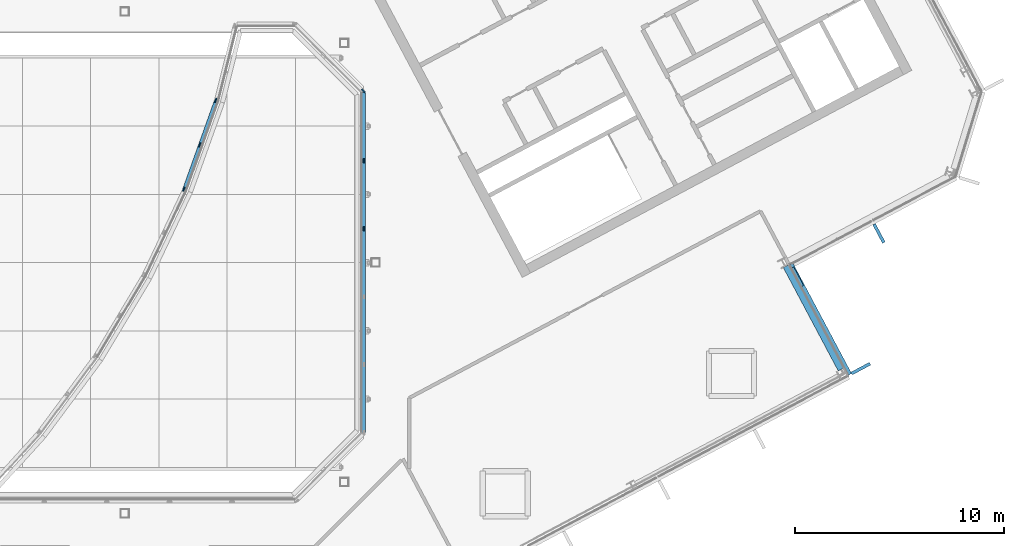
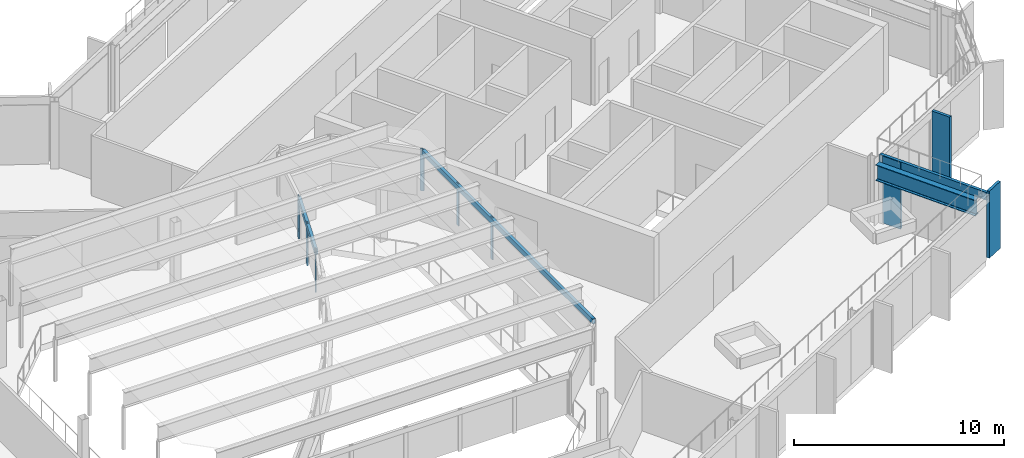
# One storey, part 16 of 35: 12 members, 1 beam, 6 elements without a shape of their own.
"""IFC4 building model written with IfcOpenShell, lengths in metres."""

from ifc_helpers import new_model, si_unit, direction, frame, origin, origin_2d, place, context, subcontext, project, spatial, rectangle, i_section, extrude, material, layer, layer_set, material_profile, profile_set, type_object, element, aggregate, save


model = new_model("IFC4")

# Units and contexts
model_context = context("Model", 3, precision=1e-05, world=origin(), true_north=direction((0.0, 1.0)))
body_context = subcontext(model_context, "Body", "Model", "MODEL_VIEW")
ifc_project = project(units=[si_unit("LENGTHUNIT", "METRE"), si_unit("AREAUNIT", "SQUARE_METRE"), si_unit("VOLUMEUNIT", "CUBIC_METRE"), si_unit("PLANEANGLEUNIT", "RADIAN"), si_unit("MASSUNIT", "GRAM", prefix="KILO")], contexts=[model_context])

# Site, building, storey
site_placement = place(None, origin())
site = spatial("IfcSite", under=ifc_project, at=site_placement, CompositionType="ELEMENT")
building_placement = place(site_placement, origin())
building = spatial("IfcBuilding", under=site, at=building_placement, Name="Cormorant Relay Tower", CompositionType="ELEMENT")
storey_placement = place(building_placement, frame((0.0, 0.0, 324.300048828125)))
storey = spatial("IfcBuildingStorey", under=building, at=storey_placement, Name="L74", CompositionType="ELEMENT", Elevation=324.300048828125)

# Curtain wall, member
ifc_material_1 = material(Name="Aluminium 6063-T6 anodised bronze", Category="aluminium")
ifc_layer_1 = layer(ifc_material_1, 0.199951171875)
ifc_layer_set_1 = layer_set([ifc_layer_1], Name="CW1 unitised bronze curtain wall with vertical fins")
curtain_wall_type_1 = type_object("IfcCurtainWallType", Name="CW1 unitised bronze curtain wall with vertical fins", PredefinedType="NOTDEFINED", material=ifc_layer_set_1)
curtain_wall_1_placement = place(storey_placement, origin())
curtain_wall_1 = element("IfcCurtainWall", 1, at=curtain_wall_1_placement, inside=storey, type_object=curtain_wall_type_1, Name="CW1 curtain wall 3", PredefinedType="NOTDEFINED")
ifc_material_2 = material(Name="Aluminium 6063-T6 anodised bronze", Category="aluminium")
ifc_material_profile_1 = material_profile(ifc_material_2, rectangle(XDim=0.14990234375, YDim=1.0, at=origin_2d()), Name="AL 150x1000")
ifc_profile_set_1 = profile_set([ifc_material_profile_1], Name="Aluminium 6063-T6 anodised bronze")
member_type_1 = type_object("IfcMemberType", Name="CW1 bronze fin mullion 150 x 1000", PredefinedType="MULLION", material=ifc_profile_set_1)
member_1_placement = place(storey_placement, frame((35.199462890625, -5.068115234375, 0.0), z_axis=(0.0, 0.0, 1.0), x_axis=(-0.469471562786, 0.882947592859, 0.0)))
member_1 = element("IfcMember", 2, at=member_1_placement, type_object=member_type_1, Name="CW1 fin 3.1", PredefinedType="MULLION", context=body_context, shape_type="SweptSolid", body=[
    extrude(rectangle(XDim=0.14990234375, YDim=1.0, at=origin_2d()), origin(), (0.0, 0.0, 1.0), 3.89990234375),
])

# Curtain wall, members
curtain_wall_2_placement = place(storey_placement, origin())
curtain_wall_2 = element("IfcCurtainWall", 3, at=curtain_wall_2_placement, inside=storey, type_object=curtain_wall_type_1, Name="CW1 curtain wall 4", PredefinedType="NOTDEFINED")
member_2_placement = place(storey_placement, frame((32.159423828125, -0.681884765625, 0.0), z_axis=(0.0, 0.0, 1.0), x_axis=(0.882947592859, 0.469471562786, 0.0)))
member_2 = element("IfcMember", 4, at=member_2_placement, type_object=member_type_1, Name="CW1 fin 4.1", PredefinedType="MULLION", context=body_context, shape_type="SweptSolid", body=[
    extrude(rectangle(XDim=0.14990234375, YDim=1.0, at=origin_2d()), origin(), (0.0, 0.0, 1.0), 3.89990234375),
])
member_3_placement = place(storey_placement, frame((36.06640625, 1.3955078125, 0.0), z_axis=(0.0, 0.0, 1.0), x_axis=(0.882947592859, 0.469471562786, 0.0)))
member_3 = element("IfcMember", 5, at=member_3_placement, type_object=member_type_1, Name="CW1 fin 4.2", PredefinedType="MULLION", context=body_context, shape_type="SweptSolid", body=[
    extrude(rectangle(XDim=0.14990234375, YDim=1.0, at=origin_2d()), origin(), (0.0, 0.0, 1.0), 3.89990234375),
])
aggregate(curtain_wall_2, [member_2, member_3])

# Member
ifc_material_3 = material(Name="Aluminium 6063-T6 anodised bronze", Category="aluminium")
ifc_material_profile_2 = material_profile(ifc_material_3, rectangle(XDim=0.159912109375, YDim=0.449951171875, at=origin_2d()), Name="AL 160x450")
ifc_profile_set_2 = profile_set([ifc_material_profile_2], Name="Aluminium 6063-T6 anodised bronze")
member_type_2 = type_object("IfcMemberType", Name="CW1 bronze transom 160 x 450", PredefinedType="USERDEFINED", material=ifc_profile_set_2)
member_4_placement = place(storey_placement, frame((34.6875, -5.34033203125, 3.675048828125), z_axis=(-0.469485426614, 0.882940221191, 0.0), x_axis=(-0.882940221191, -0.469485426614, 0.0)))
member_4 = element("IfcMember", 6, at=member_4_placement, type_object=member_type_2, Name="CW1 transom 3", ObjectType="TRANSOM", PredefinedType="USERDEFINED", context=body_context, shape_type="SweptSolid", body=[
    extrude(rectangle(XDim=0.159912109375, YDim=0.449951171875, at=origin_2d()), origin(), (0.0, 0.0, 1.0), 6.0),
])

aggregate(curtain_wall_1, [member_1, member_4])

# Curtain wall, members
ifc_material_4 = material(Name="Aluminium 6063-T6 anodised bronze", Category="aluminium")
ifc_layer_2 = layer(ifc_material_4, 0.199951171875)
ifc_layer_set_2 = layer_set([ifc_layer_2], Name="CW5 atrium lantern curtain wall")
curtain_wall_type_2 = type_object("IfcCurtainWallType", Name="CW5 atrium lantern curtain wall", PredefinedType="NOTDEFINED", material=ifc_layer_set_2)
curtain_wall_3_placement = place(storey_placement, origin())
curtain_wall_3 = element("IfcCurtainWall", 7, at=curtain_wall_3_placement, inside=storey, type_object=curtain_wall_type_2, Name="CW5 atrium lantern wall 2", PredefinedType="NOTDEFINED")
ifc_material_5 = material(Name="Aluminium 6063-T6 anodised bronze", Category="aluminium")
ifc_material_profile_3 = material_profile(ifc_material_5, rectangle(XDim=0.199951171875, YDim=0.06005859375, at=origin_2d()), Name="AL 60x200")
ifc_profile_set_3 = profile_set([ifc_material_profile_3], Name="Aluminium 6063-T6 anodised bronze")
member_type_3 = type_object("IfcMemberType", Name="CW5 bronze mullion 60 x 200", PredefinedType="MULLION", material=ifc_profile_set_3)
member_5_placement = place(storey_placement, frame((4.346435546875, 7.76220703125, 3.89990234375), z_axis=(0.0, 0.0, 1.0), x_axis=(-0.336889853392, -0.941544065183, 0.0)))
member_5 = element("IfcMember", 8, at=member_5_placement, type_object=member_type_3, Name="CW5 mullion 2.1", PredefinedType="MULLION", context=body_context, shape_type="SweptSolid", body=[
    extrude(rectangle(XDim=0.199951171875, YDim=0.06005859375, at=origin_2d()), origin(), (0.0, 0.0, 1.0), 2.449951171875),
])
member_6_placement = place(storey_placement, frame((3.582763671875, 5.627685546875, 3.89990234375), z_axis=(0.0, 0.0, 1.0), x_axis=(-0.336889853392, -0.941544065183, 0.0)))
member_6 = element("IfcMember", 9, at=member_6_placement, type_object=member_type_3, Name="CW5 mullion 2.2", PredefinedType="MULLION", context=body_context, shape_type="SweptSolid", body=[
    extrude(rectangle(XDim=0.199951171875, YDim=0.06005859375, at=origin_2d()), origin(), (0.0, 0.0, 1.0), 2.449951171875),
])

# Curtain wall, member
curtain_wall_4_placement = place(storey_placement, origin())
curtain_wall_4 = element("IfcCurtainWall", 10, at=curtain_wall_4_placement, inside=storey, type_object=curtain_wall_type_2, Name="CW5 atrium lantern wall 3", PredefinedType="NOTDEFINED")
member_7_placement = place(storey_placement, frame((2.82421875, 3.506103515625, 3.89990234375), z_axis=(0.0, 0.0, 1.0), x_axis=(-0.42755509343, -0.903989293123, 0.0)))
member_7 = element("IfcMember", 11, at=member_7_placement, type_object=member_type_3, Name="CW5 mullion 3.1", PredefinedType="MULLION", context=body_context, shape_type="SweptSolid", body=[
    extrude(rectangle(XDim=0.199951171875, YDim=0.06005859375, at=origin_2d()), origin(), (0.0, 0.0, 1.0), 2.449951171875),
])
aggregate(curtain_wall_4, [member_7])

# Curtain wall, members
curtain_wall_5_placement = place(storey_placement, origin())
curtain_wall_5 = element("IfcCurtainWall", 12, at=curtain_wall_5_placement, inside=storey, type_object=curtain_wall_type_2, Name="CW5 atrium lantern wall 9", PredefinedType="NOTDEFINED")
member_8_placement = place(storey_placement, frame((11.43994140625, 1.625, 3.89990234375), z_axis=(0.0, 0.0, 1.0), x_axis=(0.0, 1.0, 0.0)))
member_8 = element("IfcMember", 13, at=member_8_placement, type_object=member_type_3, Name="CW5 mullion 9.4", PredefinedType="MULLION", context=body_context, shape_type="SweptSolid", body=[
    extrude(rectangle(XDim=0.199951171875, YDim=0.06005859375, at=origin_2d()), origin(), (0.0, 0.0, 1.0), 2.449951171875),
])
member_9_placement = place(storey_placement, frame((11.43994140625, 4.87451171875, 3.89990234375), z_axis=(0.0, 0.0, 1.0), x_axis=(0.0, 1.0, 0.0)))
member_9 = element("IfcMember", 14, at=member_9_placement, type_object=member_type_3, Name="CW5 mullion 9.5", PredefinedType="MULLION", context=body_context, shape_type="SweptSolid", body=[
    extrude(rectangle(XDim=0.199951171875, YDim=0.06005859375, at=origin_2d()), origin(), (0.0, 0.0, 1.0), 2.449951171875),
])

# Curtain wall, member
curtain_wall_6_placement = place(storey_placement, origin())
curtain_wall_6 = element("IfcCurtainWall", 15, at=curtain_wall_6_placement, inside=storey, type_object=curtain_wall_type_2, Name="CW5 atrium lantern wall 10", PredefinedType="NOTDEFINED")
member_10_placement = place(storey_placement, frame((11.39892578125, 8.223388671875, 3.89990234375), z_axis=(0.0, 0.0, 1.0), x_axis=(-0.707106781187, 0.707106781187, 0.0)))
member_10 = element("IfcMember", 16, at=member_10_placement, type_object=member_type_3, Name="CW5 mullion 10.1", PredefinedType="MULLION", context=body_context, shape_type="SweptSolid", body=[
    extrude(rectangle(XDim=0.199951171875, YDim=0.06005859375, at=origin_2d()), origin(), (0.0, 0.0, 1.0), 2.449951171875),
])
aggregate(curtain_wall_6, [member_10])

# Member
ifc_material_6 = material(Name="Aluminium 6063-T6 anodised bronze", Category="aluminium")
ifc_material_profile_4 = material_profile(ifc_material_6, rectangle(XDim=0.159912109375, YDim=0.300048828125, at=origin_2d()), Name="AL 160x300")
ifc_profile_set_4 = profile_set([ifc_material_profile_4], Name="Aluminium 6063-T6 anodised bronze")
member_type_4 = type_object("IfcMemberType", Name="CW5 bronze transom 160 x 300", PredefinedType="USERDEFINED", material=ifc_profile_set_4)
member_11_placement = place(storey_placement, frame((4.365234375, 7.75537109375, 6.199951171875), z_axis=(-0.336878728795, -0.941548045553, 0.0), x_axis=(0.941548045553, -0.336878728795, 0.0)))
member_11 = element("IfcMember", 17, at=member_11_placement, type_object=member_type_4, Name="CW5 transom 2", ObjectType="TRANSOM", PredefinedType="USERDEFINED", context=body_context, shape_type="SweptSolid", body=[
    extrude(rectangle(XDim=0.159912109375, YDim=0.300048828125, at=origin_2d()), origin(), (0.0, 0.0, 1.0), 4.53369140625),
])

aggregate(curtain_wall_3, [member_5, member_6, member_11])

member_12_placement = place(storey_placement, frame((11.419921875, -8.124267578125, 6.199951171875), z_axis=(0.0, 1.0, 0.0), x_axis=(-1.0, 0.0, 0.0)))
member_12 = element("IfcMember", 18, at=member_12_placement, type_object=member_type_4, Name="CW5 transom 9", ObjectType="TRANSOM", PredefinedType="USERDEFINED", context=body_context, shape_type="SweptSolid", body=[
    extrude(rectangle(XDim=0.159912109375, YDim=0.300048828125, at=origin_2d()), origin(), (0.0, 0.0, 1.0), 16.24853515625),
])

aggregate(curtain_wall_5, [member_8, member_9, member_12])

# Beam
ifc_material_7 = material(Name="Steel ASTM A992 (Fy 345 MPa)", Category="steel")
ifc_material_profile_5 = material_profile(ifc_material_7, i_section(OverallWidth=0.307373046875, OverallDepth=0.927001953125, WebThickness=0.019287109375, FlangeThickness=0.031982421875, FilletRadius=0.01904296875, at=origin_2d()), Name="W920x289")
ifc_profile_set_5 = profile_set([ifc_material_profile_5], Name="Steel ASTM A992 (Fy 345 MPa)")
beam_type = type_object("IfcBeamType", Name="Spandrel W920x289", PredefinedType="SPANDREL", material=ifc_profile_set_5)
beam_placement = place(storey_placement, frame((34.254638671875, -5.109619140625, 3.0361328125), z_axis=(-0.469457325339, 0.882955162897, 0.0), x_axis=(-0.882955162897, -0.469457325339, 0.0)))
element("IfcBeam", 19, at=beam_placement, inside=storey, type_object=beam_type, Name="Spandrel beam L74-003", PredefinedType="SPANDREL", context=body_context, shape_type="SweptSolid", body=[
    extrude(i_section(OverallWidth=0.307373046875, OverallDepth=0.927001953125, WebThickness=0.019287109375, FlangeThickness=0.031982421875, FilletRadius=0.01904296875, at=origin_2d()), origin(), (0.0, 0.0, 1.0), 5.593017578125),
])

save(model, "model.ifc")
